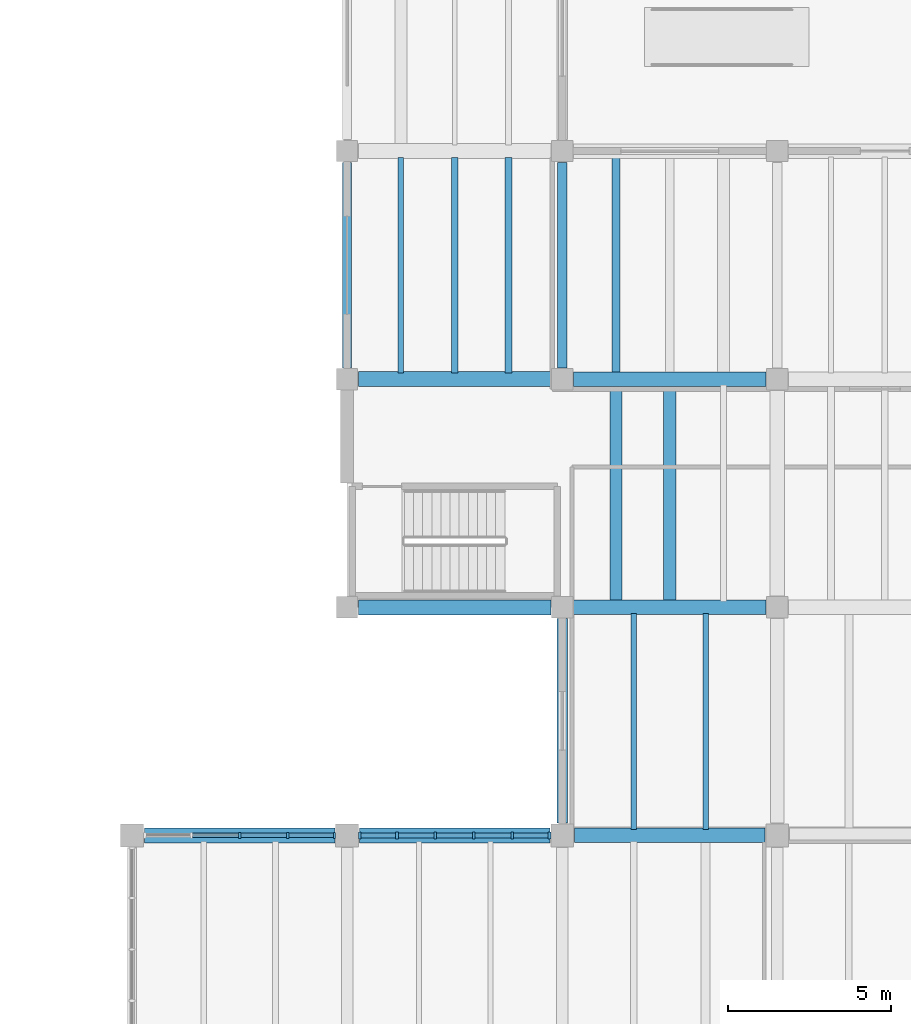
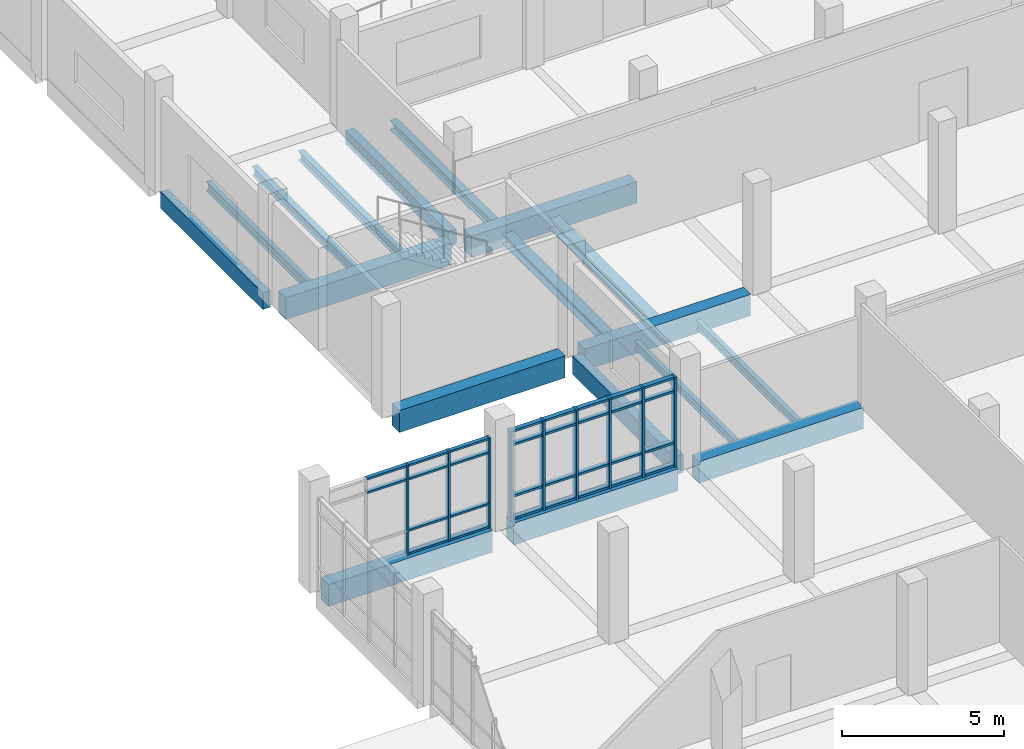
# One storey, part 8 of 69: 39 members, 18 beams, 2 elements without a shape of their own.
"""IFC4 building model written with IfcOpenShell, lengths in metres."""

from ifc_helpers import new_model, si_unit, direction, frame, origin, origin_2d, place, context, subcontext, project, spatial, rectangle, i_section, extrude, material, material_profile, profile_set, type_object, element, aggregate, save


model = new_model("IFC4")

# Units and contexts
model_context = context("Model", 3, precision=1e-05, world=origin(), true_north=direction((0.0, 1.0)))
body_context = subcontext(model_context, "Body", "Model", "MODEL_VIEW")
ifc_project = project(units=[si_unit("LENGTHUNIT", "METRE"), si_unit("AREAUNIT", "SQUARE_METRE"), si_unit("VOLUMEUNIT", "CUBIC_METRE"), si_unit("PLANEANGLEUNIT", "RADIAN"), si_unit("MASSUNIT", "GRAM", prefix="KILO")], contexts=[model_context])

# Site, building, storey
site_placement = place(None, origin())
site = spatial("IfcSite", under=ifc_project, at=site_placement, CompositionType="ELEMENT")
building_placement = place(site_placement, origin())
building = spatial("IfcBuilding", under=site, at=building_placement, Name="Ciguamira Faculty of Natural Sciences", CompositionType="ELEMENT")
storey_placement = place(building_placement, origin())
storey = spatial("IfcBuildingStorey", under=building, at=storey_placement, Name="L00", CompositionType="ELEMENT", Elevation=0.0)

# Curtain wall, members
ifc_material_1 = material(Name="Anodized aluminium curtain wall", Category="aluminium")
curtain_wall_type_1 = type_object("IfcCurtainWallType", Name="CurtainWall_CW-05", PredefinedType="USERDEFINED", material=ifc_material_1)
curtain_wall_1_placement = place(storey_placement, origin())
curtain_wall_1 = element("IfcCurtainWall", 1, at=curtain_wall_1_placement, inside=storey, type_object=curtain_wall_type_1, Name="L00 unitised curtain wall 0005", ObjectType="UNITISED CURTAIN WALL", PredefinedType="USERDEFINED")
ifc_material_2 = material(Name="Anodized aluminium mullion", Category="aluminium")
ifc_material_profile_1 = material_profile(ifc_material_2, rectangle(XDim=0.070068359375, YDim=0.179931640625, at=origin_2d()), Name="ALU-MUL-70X180")
ifc_profile_set_1 = profile_set([ifc_material_profile_1], Name="Anodized aluminium mullion")
member_type_1 = type_object("IfcMemberType", Name="CWMullion_CWM-02", PredefinedType="MULLION", material=ifc_profile_set_1)
member_1_placement = place(storey_placement, frame((54.0, 38.0, 0.0), z_axis=(0.0, 0.0, 1.0), x_axis=(1.0, 0.0, 0.0)))
member_1 = element("IfcMember", 2, at=member_1_placement, type_object=member_type_1, Name="CW-05 mullion 3", PredefinedType="MULLION", context=body_context, shape_type="SweptSolid", body=[
    extrude(rectangle(XDim=0.070068359375, YDim=0.179931640625, at=origin_2d()), origin(), (0.0, 0.0, 1.0), 3.385009765625),
])
member_2_placement = place(storey_placement, frame((55.47509765625, 38.0, 0.0), z_axis=(0.0, 0.0, 1.0), x_axis=(1.0, 0.0, 0.0)))
member_2 = element("IfcMember", 3, at=member_2_placement, type_object=member_type_1, Name="CW-05 mullion 4", PredefinedType="MULLION", context=body_context, shape_type="SweptSolid", body=[
    extrude(rectangle(XDim=0.070068359375, YDim=0.179931640625, at=origin_2d()), origin(), (0.0, 0.0, 1.0), 3.385009765625),
])
member_3_placement = place(storey_placement, frame((56.9150390625, 38.0, 0.0), z_axis=(0.0, 0.0, 1.0), x_axis=(1.0, 0.0, 0.0)))
member_3 = element("IfcMember", 4, at=member_3_placement, type_object=member_type_1, Name="CW-05 mullion 5", PredefinedType="MULLION", context=body_context, shape_type="SweptSolid", body=[
    extrude(rectangle(XDim=0.070068359375, YDim=0.179931640625, at=origin_2d()), origin(), (0.0, 0.0, 1.0), 3.385009765625),
])

curtain_wall_type_2 = type_object("IfcCurtainWallType", Name="CurtainWall_CW-06", PredefinedType="USERDEFINED", material=ifc_material_1)
curtain_wall_2_placement = place(storey_placement, origin())
curtain_wall_2 = element("IfcCurtainWall", 5, at=curtain_wall_2_placement, inside=storey, type_object=curtain_wall_type_2, Name="L00 unitised curtain wall 0006", ObjectType="UNITISED CURTAIN WALL", PredefinedType="USERDEFINED")
ifc_material_profile_2 = material_profile(ifc_material_2, rectangle(XDim=0.080078125, YDim=0.219970703125, at=origin_2d()), Name="ALU-MUL-80X220")
ifc_profile_set_2 = profile_set([ifc_material_profile_2], Name="Anodized aluminium mullion")
member_type_2 = type_object("IfcMemberType", Name="CWMullion_CWM-03", PredefinedType="MULLION", material=ifc_profile_set_2)
member_4_placement = place(storey_placement, frame((57.68994140625, 38.0, 0.0), z_axis=(0.0, 0.0, 1.0), x_axis=(1.0, 0.0, 0.0)))
member_4 = element("IfcMember", 6, at=member_4_placement, type_object=member_type_2, Name="CW-06 mullion 1", PredefinedType="MULLION", context=body_context, shape_type="SweptSolid", body=[
    extrude(rectangle(XDim=0.080078125, YDim=0.219970703125, at=origin_2d()), origin(), (0.0, 0.0, 1.0), 3.385009765625),
])
member_5_placement = place(storey_placement, frame((58.830078125, 38.0, 0.0), z_axis=(0.0, 0.0, 1.0), x_axis=(1.0, 0.0, 0.0)))
member_5 = element("IfcMember", 7, at=member_5_placement, type_object=member_type_2, Name="CW-06 mullion 2", PredefinedType="MULLION", context=body_context, shape_type="SweptSolid", body=[
    extrude(rectangle(XDim=0.080078125, YDim=0.219970703125, at=origin_2d()), origin(), (0.0, 0.0, 1.0), 3.385009765625),
])
member_6_placement = place(storey_placement, frame((60.010009765625, 38.0, 0.0), z_axis=(0.0, 0.0, 1.0), x_axis=(1.0, 0.0, 0.0)))
member_6 = element("IfcMember", 8, at=member_6_placement, type_object=member_type_2, Name="CW-06 mullion 3", PredefinedType="MULLION", context=body_context, shape_type="SweptSolid", body=[
    extrude(rectangle(XDim=0.080078125, YDim=0.219970703125, at=origin_2d()), origin(), (0.0, 0.0, 1.0), 3.385009765625),
])
member_7_placement = place(storey_placement, frame((61.18994140625, 38.0, 0.0), z_axis=(0.0, 0.0, 1.0), x_axis=(1.0, 0.0, 0.0)))
member_7 = element("IfcMember", 9, at=member_7_placement, type_object=member_type_2, Name="CW-06 mullion 4", PredefinedType="MULLION", context=body_context, shape_type="SweptSolid", body=[
    extrude(rectangle(XDim=0.080078125, YDim=0.219970703125, at=origin_2d()), origin(), (0.0, 0.0, 1.0), 3.385009765625),
])
member_8_placement = place(storey_placement, frame((62.3701171875, 38.0, 0.0), z_axis=(0.0, 0.0, 1.0), x_axis=(1.0, 0.0, 0.0)))
member_8 = element("IfcMember", 10, at=member_8_placement, type_object=member_type_2, Name="CW-06 mullion 5", PredefinedType="MULLION", context=body_context, shape_type="SweptSolid", body=[
    extrude(rectangle(XDim=0.080078125, YDim=0.219970703125, at=origin_2d()), origin(), (0.0, 0.0, 1.0), 3.385009765625),
])
member_9_placement = place(storey_placement, frame((63.510009765625, 38.0, 0.0), z_axis=(0.0, 0.0, 1.0), x_axis=(1.0, 0.0, 0.0)))
member_9 = element("IfcMember", 11, at=member_9_placement, type_object=member_type_2, Name="CW-06 mullion 6", PredefinedType="MULLION", context=body_context, shape_type="SweptSolid", body=[
    extrude(rectangle(XDim=0.080078125, YDim=0.219970703125, at=origin_2d()), origin(), (0.0, 0.0, 1.0), 3.385009765625),
])

# Member
ifc_material_3 = material(Name="Anodized aluminium transom", Category="aluminium")
ifc_material_profile_3 = material_profile(ifc_material_3, rectangle(XDim=0.070068359375, YDim=0.139892578125, at=origin_2d()), Name="ALU-TRN-70X140")
ifc_profile_set_3 = profile_set([ifc_material_profile_3], Name="Anodized aluminium transom")
member_type_3 = type_object("IfcMemberType", Name="CWTransom_CWT-02", PredefinedType="USERDEFINED", material=ifc_profile_set_3)
member_10_placement = place(storey_placement, frame((52.56005859375, 38.0, 2.8349609375), z_axis=(1.0, 0.0, 0.0), x_axis=(0.0, 0.0, 1.0)))
member_10 = element("IfcMember", 12, at=member_10_placement, type_object=member_type_3, Name="CW-05 transom 2.3", ObjectType="TRANSOM", PredefinedType="USERDEFINED", context=body_context, shape_type="SweptSolid", body=[
    extrude(rectangle(XDim=0.070068359375, YDim=0.139892578125, at=origin_2d()), origin(), (0.0, 0.0, 1.0), 1.405029296875),
])

member_11_placement = place(storey_placement, frame((52.56005859375, 38.0, 3.35009765625), z_axis=(1.0, 0.0, 0.0), x_axis=(0.0, 0.0, 1.0)))
member_11 = element("IfcMember", 13, at=member_11_placement, type_object=member_type_3, Name="CW-05 transom 2.4", ObjectType="TRANSOM", PredefinedType="USERDEFINED", context=body_context, shape_type="SweptSolid", body=[
    extrude(rectangle(XDim=0.070068359375, YDim=0.139892578125, at=origin_2d()), origin(), (0.0, 0.0, 1.0), 1.405029296875),
])

member_12_placement = place(storey_placement, frame((54.034912109375, 38.0, 0.034912109375), z_axis=(1.0, 0.0, 0.0), x_axis=(0.0, 0.0, 1.0)))
member_12 = element("IfcMember", 14, at=member_12_placement, type_object=member_type_3, Name="CW-05 transom 3.1", ObjectType="TRANSOM", PredefinedType="USERDEFINED", context=body_context, shape_type="SweptSolid", body=[
    extrude(rectangle(XDim=0.070068359375, YDim=0.139892578125, at=origin_2d()), origin(), (0.0, 0.0, 1.0), 1.405029296875),
])

member_13_placement = place(storey_placement, frame((54.034912109375, 38.0, 0.89990234375), z_axis=(1.0, 0.0, 0.0), x_axis=(0.0, 0.0, 1.0)))
member_13 = element("IfcMember", 15, at=member_13_placement, type_object=member_type_3, Name="CW-05 transom 3.2", ObjectType="TRANSOM", PredefinedType="USERDEFINED", context=body_context, shape_type="SweptSolid", body=[
    extrude(rectangle(XDim=0.070068359375, YDim=0.139892578125, at=origin_2d()), origin(), (0.0, 0.0, 1.0), 1.405029296875),
])

member_14_placement = place(storey_placement, frame((54.034912109375, 38.0, 2.8349609375), z_axis=(1.0, 0.0, 0.0), x_axis=(0.0, 0.0, 1.0)))
member_14 = element("IfcMember", 16, at=member_14_placement, type_object=member_type_3, Name="CW-05 transom 3.3", ObjectType="TRANSOM", PredefinedType="USERDEFINED", context=body_context, shape_type="SweptSolid", body=[
    extrude(rectangle(XDim=0.070068359375, YDim=0.139892578125, at=origin_2d()), origin(), (0.0, 0.0, 1.0), 1.405029296875),
])

member_15_placement = place(storey_placement, frame((54.034912109375, 38.0, 3.35009765625), z_axis=(1.0, 0.0, 0.0), x_axis=(0.0, 0.0, 1.0)))
member_15 = element("IfcMember", 17, at=member_15_placement, type_object=member_type_3, Name="CW-05 transom 3.4", ObjectType="TRANSOM", PredefinedType="USERDEFINED", context=body_context, shape_type="SweptSolid", body=[
    extrude(rectangle(XDim=0.070068359375, YDim=0.139892578125, at=origin_2d()), origin(), (0.0, 0.0, 1.0), 1.405029296875),
])

member_16_placement = place(storey_placement, frame((55.510009765625, 38.0, 0.034912109375), z_axis=(1.0, 0.0, 0.0), x_axis=(0.0, 0.0, 1.0)))
member_16 = element("IfcMember", 18, at=member_16_placement, type_object=member_type_3, Name="CW-05 transom 4.1", ObjectType="TRANSOM", PredefinedType="USERDEFINED", context=body_context, shape_type="SweptSolid", body=[
    extrude(rectangle(XDim=0.070068359375, YDim=0.139892578125, at=origin_2d()), origin(), (0.0, 0.0, 1.0), 1.369873046875),
])

member_17_placement = place(storey_placement, frame((55.510009765625, 38.0, 0.89990234375), z_axis=(1.0, 0.0, 0.0), x_axis=(0.0, 0.0, 1.0)))
member_17 = element("IfcMember", 19, at=member_17_placement, type_object=member_type_3, Name="CW-05 transom 4.2", ObjectType="TRANSOM", PredefinedType="USERDEFINED", context=body_context, shape_type="SweptSolid", body=[
    extrude(rectangle(XDim=0.070068359375, YDim=0.139892578125, at=origin_2d()), origin(), (0.0, 0.0, 1.0), 1.369873046875),
])

member_18_placement = place(storey_placement, frame((55.510009765625, 38.0, 2.8349609375), z_axis=(1.0, 0.0, 0.0), x_axis=(0.0, 0.0, 1.0)))
member_18 = element("IfcMember", 20, at=member_18_placement, type_object=member_type_3, Name="CW-05 transom 4.3", ObjectType="TRANSOM", PredefinedType="USERDEFINED", context=body_context, shape_type="SweptSolid", body=[
    extrude(rectangle(XDim=0.070068359375, YDim=0.139892578125, at=origin_2d()), origin(), (0.0, 0.0, 1.0), 1.369873046875),
])

member_19_placement = place(storey_placement, frame((55.510009765625, 38.0, 3.35009765625), z_axis=(1.0, 0.0, 0.0), x_axis=(0.0, 0.0, 1.0)))
member_19 = element("IfcMember", 21, at=member_19_placement, type_object=member_type_3, Name="CW-05 transom 4.4", ObjectType="TRANSOM", PredefinedType="USERDEFINED", context=body_context, shape_type="SweptSolid", body=[
    extrude(rectangle(XDim=0.070068359375, YDim=0.139892578125, at=origin_2d()), origin(), (0.0, 0.0, 1.0), 1.369873046875),
])

aggregate(curtain_wall_1, [member_1, member_2, member_3, member_10, member_11, member_12, member_13, member_14, member_15, member_16, member_17, member_18, member_19])

ifc_material_profile_4 = material_profile(ifc_material_3, rectangle(XDim=0.080078125, YDim=0.159912109375, at=origin_2d()), Name="ALU-TRN-80X160")
ifc_profile_set_4 = profile_set([ifc_material_profile_4], Name="Anodized aluminium transom")
member_type_4 = type_object("IfcMemberType", Name="CWTransom_CWT-03", PredefinedType="USERDEFINED", material=ifc_profile_set_4)
member_20_placement = place(storey_placement, frame((57.72998046875, 38.0, 0.0400390625), z_axis=(1.0, 0.0, 0.0), x_axis=(0.0, 0.0, 1.0)))
member_20 = element("IfcMember", 22, at=member_20_placement, type_object=member_type_4, Name="CW-06 transom 1.1", ObjectType="TRANSOM", PredefinedType="USERDEFINED", context=body_context, shape_type="SweptSolid", body=[
    extrude(rectangle(XDim=0.080078125, YDim=0.159912109375, at=origin_2d()), origin(), (0.0, 0.0, 1.0), 1.06005859375),
])

member_21_placement = place(storey_placement, frame((57.72998046875, 38.0, 0.89990234375), z_axis=(1.0, 0.0, 0.0), x_axis=(0.0, 0.0, 1.0)))
member_21 = element("IfcMember", 23, at=member_21_placement, type_object=member_type_4, Name="CW-06 transom 1.2", ObjectType="TRANSOM", PredefinedType="USERDEFINED", context=body_context, shape_type="SweptSolid", body=[
    extrude(rectangle(XDim=0.080078125, YDim=0.159912109375, at=origin_2d()), origin(), (0.0, 0.0, 1.0), 1.06005859375),
])

member_22_placement = place(storey_placement, frame((57.72998046875, 38.0, 2.8349609375), z_axis=(1.0, 0.0, 0.0), x_axis=(0.0, 0.0, 1.0)))
member_22 = element("IfcMember", 24, at=member_22_placement, type_object=member_type_4, Name="CW-06 transom 1.3", ObjectType="TRANSOM", PredefinedType="USERDEFINED", context=body_context, shape_type="SweptSolid", body=[
    extrude(rectangle(XDim=0.080078125, YDim=0.159912109375, at=origin_2d()), origin(), (0.0, 0.0, 1.0), 1.06005859375),
])

member_23_placement = place(storey_placement, frame((57.72998046875, 38.0, 3.344970703125), z_axis=(1.0, 0.0, 0.0), x_axis=(0.0, 0.0, 1.0)))
member_23 = element("IfcMember", 25, at=member_23_placement, type_object=member_type_4, Name="CW-06 transom 1.4", ObjectType="TRANSOM", PredefinedType="USERDEFINED", context=body_context, shape_type="SweptSolid", body=[
    extrude(rectangle(XDim=0.080078125, YDim=0.159912109375, at=origin_2d()), origin(), (0.0, 0.0, 1.0), 1.06005859375),
])

member_24_placement = place(storey_placement, frame((58.8701171875, 38.0, 0.0400390625), z_axis=(1.0, 0.0, 0.0), x_axis=(0.0, 0.0, 1.0)))
member_24 = element("IfcMember", 26, at=member_24_placement, type_object=member_type_4, Name="CW-06 transom 2.1", ObjectType="TRANSOM", PredefinedType="USERDEFINED", context=body_context, shape_type="SweptSolid", body=[
    extrude(rectangle(XDim=0.080078125, YDim=0.159912109375, at=origin_2d()), origin(), (0.0, 0.0, 1.0), 1.099853515625),
])

member_25_placement = place(storey_placement, frame((58.8701171875, 38.0, 0.89990234375), z_axis=(1.0, 0.0, 0.0), x_axis=(0.0, 0.0, 1.0)))
member_25 = element("IfcMember", 27, at=member_25_placement, type_object=member_type_4, Name="CW-06 transom 2.2", ObjectType="TRANSOM", PredefinedType="USERDEFINED", context=body_context, shape_type="SweptSolid", body=[
    extrude(rectangle(XDim=0.080078125, YDim=0.159912109375, at=origin_2d()), origin(), (0.0, 0.0, 1.0), 1.099853515625),
])

member_26_placement = place(storey_placement, frame((58.8701171875, 38.0, 2.8349609375), z_axis=(1.0, 0.0, 0.0), x_axis=(0.0, 0.0, 1.0)))
member_26 = element("IfcMember", 28, at=member_26_placement, type_object=member_type_4, Name="CW-06 transom 2.3", ObjectType="TRANSOM", PredefinedType="USERDEFINED", context=body_context, shape_type="SweptSolid", body=[
    extrude(rectangle(XDim=0.080078125, YDim=0.159912109375, at=origin_2d()), origin(), (0.0, 0.0, 1.0), 1.099853515625),
])

member_27_placement = place(storey_placement, frame((58.8701171875, 38.0, 3.344970703125), z_axis=(1.0, 0.0, 0.0), x_axis=(0.0, 0.0, 1.0)))
member_27 = element("IfcMember", 29, at=member_27_placement, type_object=member_type_4, Name="CW-06 transom 2.4", ObjectType="TRANSOM", PredefinedType="USERDEFINED", context=body_context, shape_type="SweptSolid", body=[
    extrude(rectangle(XDim=0.080078125, YDim=0.159912109375, at=origin_2d()), origin(), (0.0, 0.0, 1.0), 1.099853515625),
])

member_28_placement = place(storey_placement, frame((60.050048828125, 38.0, 0.0400390625), z_axis=(1.0, 0.0, 0.0), x_axis=(0.0, 0.0, 1.0)))
member_28 = element("IfcMember", 30, at=member_28_placement, type_object=member_type_4, Name="CW-06 transom 3.1", ObjectType="TRANSOM", PredefinedType="USERDEFINED", context=body_context, shape_type="SweptSolid", body=[
    extrude(rectangle(XDim=0.080078125, YDim=0.159912109375, at=origin_2d()), origin(), (0.0, 0.0, 1.0), 1.099853515625),
])

member_29_placement = place(storey_placement, frame((60.050048828125, 38.0, 0.89990234375), z_axis=(1.0, 0.0, 0.0), x_axis=(0.0, 0.0, 1.0)))
member_29 = element("IfcMember", 31, at=member_29_placement, type_object=member_type_4, Name="CW-06 transom 3.2", ObjectType="TRANSOM", PredefinedType="USERDEFINED", context=body_context, shape_type="SweptSolid", body=[
    extrude(rectangle(XDim=0.080078125, YDim=0.159912109375, at=origin_2d()), origin(), (0.0, 0.0, 1.0), 1.099853515625),
])

member_30_placement = place(storey_placement, frame((60.050048828125, 38.0, 2.8349609375), z_axis=(1.0, 0.0, 0.0), x_axis=(0.0, 0.0, 1.0)))
member_30 = element("IfcMember", 32, at=member_30_placement, type_object=member_type_4, Name="CW-06 transom 3.3", ObjectType="TRANSOM", PredefinedType="USERDEFINED", context=body_context, shape_type="SweptSolid", body=[
    extrude(rectangle(XDim=0.080078125, YDim=0.159912109375, at=origin_2d()), origin(), (0.0, 0.0, 1.0), 1.099853515625),
])

member_31_placement = place(storey_placement, frame((60.050048828125, 38.0, 3.344970703125), z_axis=(1.0, 0.0, 0.0), x_axis=(0.0, 0.0, 1.0)))
member_31 = element("IfcMember", 33, at=member_31_placement, type_object=member_type_4, Name="CW-06 transom 3.4", ObjectType="TRANSOM", PredefinedType="USERDEFINED", context=body_context, shape_type="SweptSolid", body=[
    extrude(rectangle(XDim=0.080078125, YDim=0.159912109375, at=origin_2d()), origin(), (0.0, 0.0, 1.0), 1.099853515625),
])

member_32_placement = place(storey_placement, frame((61.22998046875, 38.0, 0.0400390625), z_axis=(1.0, 0.0, 0.0), x_axis=(0.0, 0.0, 1.0)))
member_32 = element("IfcMember", 34, at=member_32_placement, type_object=member_type_4, Name="CW-06 transom 4.1", ObjectType="TRANSOM", PredefinedType="USERDEFINED", context=body_context, shape_type="SweptSolid", body=[
    extrude(rectangle(XDim=0.080078125, YDim=0.159912109375, at=origin_2d()), origin(), (0.0, 0.0, 1.0), 1.10009765625),
])

member_33_placement = place(storey_placement, frame((61.22998046875, 38.0, 0.89990234375), z_axis=(1.0, 0.0, 0.0), x_axis=(0.0, 0.0, 1.0)))
member_33 = element("IfcMember", 35, at=member_33_placement, type_object=member_type_4, Name="CW-06 transom 4.2", ObjectType="TRANSOM", PredefinedType="USERDEFINED", context=body_context, shape_type="SweptSolid", body=[
    extrude(rectangle(XDim=0.080078125, YDim=0.159912109375, at=origin_2d()), origin(), (0.0, 0.0, 1.0), 1.10009765625),
])

member_34_placement = place(storey_placement, frame((61.22998046875, 38.0, 2.8349609375), z_axis=(1.0, 0.0, 0.0), x_axis=(0.0, 0.0, 1.0)))
member_34 = element("IfcMember", 36, at=member_34_placement, type_object=member_type_4, Name="CW-06 transom 4.3", ObjectType="TRANSOM", PredefinedType="USERDEFINED", context=body_context, shape_type="SweptSolid", body=[
    extrude(rectangle(XDim=0.080078125, YDim=0.159912109375, at=origin_2d()), origin(), (0.0, 0.0, 1.0), 1.10009765625),
])

member_35_placement = place(storey_placement, frame((61.22998046875, 38.0, 3.344970703125), z_axis=(1.0, 0.0, 0.0), x_axis=(0.0, 0.0, 1.0)))
member_35 = element("IfcMember", 37, at=member_35_placement, type_object=member_type_4, Name="CW-06 transom 4.4", ObjectType="TRANSOM", PredefinedType="USERDEFINED", context=body_context, shape_type="SweptSolid", body=[
    extrude(rectangle(XDim=0.080078125, YDim=0.159912109375, at=origin_2d()), origin(), (0.0, 0.0, 1.0), 1.10009765625),
])

member_36_placement = place(storey_placement, frame((62.409912109375, 38.0, 0.0400390625), z_axis=(1.0, 0.0, 0.0), x_axis=(0.0, 0.0, 1.0)))
member_36 = element("IfcMember", 38, at=member_36_placement, type_object=member_type_4, Name="CW-06 transom 5.1", ObjectType="TRANSOM", PredefinedType="USERDEFINED", context=body_context, shape_type="SweptSolid", body=[
    extrude(rectangle(XDim=0.080078125, YDim=0.159912109375, at=origin_2d()), origin(), (0.0, 0.0, 1.0), 1.06005859375),
])

member_37_placement = place(storey_placement, frame((62.409912109375, 38.0, 0.89990234375), z_axis=(1.0, 0.0, 0.0), x_axis=(0.0, 0.0, 1.0)))
member_37 = element("IfcMember", 39, at=member_37_placement, type_object=member_type_4, Name="CW-06 transom 5.2", ObjectType="TRANSOM", PredefinedType="USERDEFINED", context=body_context, shape_type="SweptSolid", body=[
    extrude(rectangle(XDim=0.080078125, YDim=0.159912109375, at=origin_2d()), origin(), (0.0, 0.0, 1.0), 1.06005859375),
])

member_38_placement = place(storey_placement, frame((62.409912109375, 38.0, 2.8349609375), z_axis=(1.0, 0.0, 0.0), x_axis=(0.0, 0.0, 1.0)))
member_38 = element("IfcMember", 40, at=member_38_placement, type_object=member_type_4, Name="CW-06 transom 5.3", ObjectType="TRANSOM", PredefinedType="USERDEFINED", context=body_context, shape_type="SweptSolid", body=[
    extrude(rectangle(XDim=0.080078125, YDim=0.159912109375, at=origin_2d()), origin(), (0.0, 0.0, 1.0), 1.06005859375),
])

member_39_placement = place(storey_placement, frame((62.409912109375, 38.0, 3.344970703125), z_axis=(1.0, 0.0, 0.0), x_axis=(0.0, 0.0, 1.0)))
member_39 = element("IfcMember", 41, at=member_39_placement, type_object=member_type_4, Name="CW-06 transom 5.4", ObjectType="TRANSOM", PredefinedType="USERDEFINED", context=body_context, shape_type="SweptSolid", body=[
    extrude(rectangle(XDim=0.080078125, YDim=0.159912109375, at=origin_2d()), origin(), (0.0, 0.0, 1.0), 1.06005859375),
])

aggregate(curtain_wall_2, [member_4, member_5, member_6, member_7, member_8, member_9, member_20, member_21, member_22, member_23, member_24, member_25, member_26, member_27, member_28, member_29, member_30, member_31, member_32, member_33, member_34, member_35, member_36, member_37, member_38, member_39])

# Beams
ifc_material_4 = material(Name="Concrete C40/50", Category="concrete")
ifc_material_profile_5 = material_profile(ifc_material_4, rectangle(XDim=0.4599609375, YDim=0.820068359375, at=origin_2d()), Name="RC-BM-460X820")
ifc_profile_set_5 = profile_set([ifc_material_profile_5], Name="Concrete C40/50")
beam_type_1 = type_object("IfcBeamType", Name="RCBeam_BG-04_RC-BM-460X820", PredefinedType="BEAM", material=ifc_profile_set_5)
beam_1_placement = place(storey_placement, frame((51.074951171875, 38.0, -0.409912109375), z_axis=(1.0, 0.0, 0.0), x_axis=(0.0, 1.0, 0.0)))
element("IfcBeam", 42, at=beam_1_placement, inside=storey, type_object=beam_type_1, Name="L00 RC girder EW-0089", PredefinedType="BEAM", context=body_context, shape_type="SweptSolid", body=[
    extrude(rectangle(XDim=0.4599609375, YDim=0.820068359375, at=origin_2d()), origin(), (0.0, 0.0, 1.0), 5.85009765625),
])
beam_2_placement = place(storey_placement, frame((57.675048828125, 38.0, -0.409912109375), z_axis=(1.0, 0.0, 0.0), x_axis=(0.0, 1.0, 0.0)))
element("IfcBeam", 43, at=beam_2_placement, inside=storey, type_object=beam_type_1, Name="L00 RC girder EW-0090", PredefinedType="BEAM", context=body_context, shape_type="SweptSolid", body=[
    extrude(rectangle(XDim=0.4599609375, YDim=0.820068359375, at=origin_2d()), origin(), (0.0, 0.0, 1.0), 5.849853515625),
])
for number, where, z_axis, x_axis, name in (
    (44, (57.64990234375, 45.0, -0.409912109375), (1.0, 0.0, 0.0), (0.0, 1.0, 0.0), "L00 RC girder EW-0100"),
    (45, (57.64990234375, 52.0, -0.409912109375), (1.0, 0.0, 0.0), (0.0, 1.0, 0.0), "L00 RC girder EW-0109"),
):
    element("IfcBeam", number, at=place(storey_placement, frame(where, z_axis=z_axis, x_axis=x_axis)), inside=storey, type_object=beam_type_1, Name=name, PredefinedType="BEAM", context=body_context, shape_type="SweptSolid", body=[
        extrude(rectangle(XDim=0.4599609375, YDim=0.820068359375, at=origin_2d()), origin(), (0.0, 0.0, 1.0), 5.900146484375),
    ])
ifc_material_profile_6 = material_profile(ifc_material_4, rectangle(XDim=0.449951171875, YDim=0.800048828125, at=origin_2d()), Name="RC-BM-450X800")
ifc_profile_set_6 = profile_set([ifc_material_profile_6], Name="Concrete C40/50")
beam_type_2 = type_object("IfcBeamType", Name="RCBeam_BG-05_RC-BM-450X800", PredefinedType="BEAM", material=ifc_profile_set_6)
beam_3_placement = place(storey_placement, frame((64.27490234375, 38.0, -0.39990234375), z_axis=(1.0, 0.0, 0.0), x_axis=(0.0, 1.0, 0.0)))
element("IfcBeam", 46, at=beam_3_placement, inside=storey, type_object=beam_type_2, Name="L00 RC girder EW-0091", PredefinedType="BEAM", context=body_context, shape_type="SweptSolid", body=[
    extrude(rectangle(XDim=0.449951171875, YDim=0.800048828125, at=origin_2d()), origin(), (0.0, 0.0, 1.0), 5.85009765625),
])
for number, where, z_axis, x_axis, name in (
    (47, (64.25, 45.0, -0.39990234375), (1.0, 0.0, 0.0), (0.0, 1.0, 0.0), "L00 RC girder EW-0101"),
    (48, (64.25, 52.0, -0.39990234375), (1.0, 0.0, 0.0), (0.0, 1.0, 0.0), "L00 RC girder EW-0110"),
):
    element("IfcBeam", number, at=place(storey_placement, frame(where, z_axis=z_axis, x_axis=x_axis)), inside=storey, type_object=beam_type_2, Name=name, PredefinedType="BEAM", context=body_context, shape_type="SweptSolid", body=[
        extrude(rectangle(XDim=0.449951171875, YDim=0.800048828125, at=origin_2d()), origin(), (0.0, 0.0, 1.0), 5.89990234375),
    ])
ifc_material_profile_7 = material_profile(ifc_material_4, rectangle(XDim=0.300048828125, YDim=0.52001953125, at=origin_2d()), Name="RC-BM-300X520")
ifc_profile_set_7 = profile_set([ifc_material_profile_7], Name="Concrete C40/50")
beam_type_3 = type_object("IfcBeamType", Name="RCBeam_BG-13_RC-BM-300X520", PredefinedType="BEAM", material=ifc_profile_set_7)
beam_4_placement = place(storey_placement, frame((63.89990234375, 52.35009765625, -0.260009765625), z_axis=(0.0, 1.0, 0.0), x_axis=(-1.0, 0.0, 0.0)))
element("IfcBeam", 49, at=beam_4_placement, inside=storey, type_object=beam_type_3, Name="L00 girder NS-0233", PredefinedType="BEAM", context=body_context, shape_type="SweptSolid", body=[
    extrude(rectangle(XDim=0.300048828125, YDim=0.52001953125, at=origin_2d()), origin(), (0.0, 0.0, 1.0), 6.2998046875),
])
ifc_material_5 = material(Name="Precast concrete C40/50", Category="concrete")
ifc_material_profile_8 = material_profile(ifc_material_5, rectangle(XDim=0.280029296875, YDim=0.6201171875, at=origin_2d()), Name="RC-SP-280X620")
ifc_profile_set_8 = profile_set([ifc_material_profile_8], Name="Precast concrete C40/50")
beam_type_4 = type_object("IfcBeamType", Name="RCBeam_SP-01_RC-SP-280X620", PredefinedType="SPANDREL", material=ifc_profile_set_8)
beam_5_placement = place(storey_placement, frame((57.300048828125, 52.35009765625, -0.31005859375), z_axis=(0.0, 1.0, 0.0), x_axis=(-1.0, 0.0, 0.0)))
element("IfcBeam", 50, at=beam_5_placement, inside=storey, type_object=beam_type_4, Name="L00 girder NS-0221", PredefinedType="SPANDREL", context=body_context, shape_type="SweptSolid", body=[
    extrude(rectangle(XDim=0.280029296875, YDim=0.6201171875, at=origin_2d()), origin(), (0.0, 0.0, 1.0), 6.2998046875),
])
ifc_material_profile_9 = material_profile(ifc_material_5, rectangle(XDim=0.320068359375, YDim=0.679931640625, at=origin_2d()), Name="RC-SP-320X680")
ifc_profile_set_9 = profile_set([ifc_material_profile_9], Name="Precast concrete C40/50")
beam_type_5 = type_object("IfcBeamType", Name="RCBeam_SP-02_RC-SP-320X680", PredefinedType="SPANDREL", material=ifc_profile_set_9)
beam_6_placement = place(storey_placement, frame((63.89990234375, 38.375, -0.340087890625), z_axis=(0.0, 1.0, 0.0), x_axis=(-1.0, 0.0, 0.0)))
element("IfcBeam", 51, at=beam_6_placement, inside=storey, type_object=beam_type_5, Name="L00 girder NS-0232", PredefinedType="SPANDREL", context=body_context, shape_type="SweptSolid", body=[
    extrude(rectangle(XDim=0.320068359375, YDim=0.679931640625, at=origin_2d()), origin(), (0.0, 0.0, 1.0), 6.27490234375),
])
ifc_material_6 = material(Name="Steel ASTM A992 Grade 50", Category="steel")
ifc_material_profile_10 = material_profile(ifc_material_6, i_section(OverallWidth=0.164794921875, OverallDepth=0.309814453125, WebThickness=0.005859375, FlangeThickness=0.009765625, at=origin_2d()), Name="W12X26")
ifc_profile_set_10 = profile_set([ifc_material_profile_10], Name="Steel ASTM A992 Grade 50")
beam_type_6 = type_object("IfcBeamType", Name="SteelJoist_SJ-04_W12X26", PredefinedType="JOIST", material=ifc_profile_set_10)
beam_7_placement = place(storey_placement, frame((66.10009765625, 38.18505859375, -0.454833984375), z_axis=(0.0, 1.0, 0.0), x_axis=(-1.0, 0.0, 0.0)))
element("IfcBeam", 52, at=beam_7_placement, inside=storey, type_object=beam_type_6, Name="L00 composite steel joist 00099", PredefinedType="JOIST", context=body_context, shape_type="SweptSolid", body=[
    extrude(i_section(OverallWidth=0.164794921875, OverallDepth=0.309814453125, WebThickness=0.005859375, FlangeThickness=0.009765625, at=origin_2d()), origin(), (0.0, 0.0, 1.0), 6.6298828125),
])
ifc_material_profile_11 = material_profile(ifc_material_6, i_section(OverallWidth=0.16650390625, OverallDepth=0.3173828125, WebThickness=0.007568359375, FlangeThickness=0.01318359375, at=origin_2d()), Name="W12X35")
ifc_profile_set_11 = profile_set([ifc_material_profile_11], Name="Steel ASTM A992 Grade 50")
beam_type_7 = type_object("IfcBeamType", Name="SteelJoist_SJ-05_W12X35", PredefinedType="JOIST", material=ifc_profile_set_11)
beam_8_placement = place(storey_placement, frame((68.300048828125, 38.18505859375, -0.458740234375), z_axis=(0.0, 1.0, 0.0), x_axis=(-1.0, 0.0, 0.0)))
element("IfcBeam", 53, at=beam_8_placement, inside=storey, type_object=beam_type_7, Name="L00 composite steel joist 00100", PredefinedType="JOIST", context=body_context, shape_type="SweptSolid", body=[
    extrude(i_section(OverallWidth=0.16650390625, OverallDepth=0.3173828125, WebThickness=0.007568359375, FlangeThickness=0.01318359375, at=origin_2d()), origin(), (0.0, 0.0, 1.0), 6.6298828125),
])
ifc_material_profile_12 = material_profile(ifc_material_6, i_section(OverallWidth=0.370849609375, OverallDepth=0.36328125, WebThickness=0.013427734375, FlangeThickness=0.021728515625, at=origin_2d()), Name="W14X109")
ifc_profile_set_12 = profile_set([ifc_material_profile_12], Name="Steel ASTM A992 Grade 50")
beam_type_8 = type_object("IfcBeamType", Name="SteelJoist_SJ-09_W14X109", PredefinedType="JOIST", material=ifc_profile_set_12)
beam_9_placement = place(storey_placement, frame((65.550048828125, 45.18505859375, -0.481689453125), z_axis=(0.0, 1.0, 0.0), x_axis=(-1.0, 0.0, 0.0)))
element("IfcBeam", 54, at=beam_9_placement, inside=storey, type_object=beam_type_8, Name="L00 composite steel joist 00101", PredefinedType="JOIST", context=body_context, shape_type="SweptSolid", body=[
    extrude(i_section(OverallWidth=0.370849609375, OverallDepth=0.36328125, WebThickness=0.013427734375, FlangeThickness=0.021728515625, at=origin_2d()), origin(), (0.0, 0.0, 1.0), 6.6298828125),
])
ifc_material_profile_13 = material_profile(ifc_material_6, i_section(OverallWidth=0.373291015625, OverallDepth=0.373291015625, WebThickness=0.016357421875, FlangeThickness=0.026123046875, at=origin_2d()), Name="W14X132")
ifc_profile_set_13 = profile_set([ifc_material_profile_13], Name="Steel ASTM A992 Grade 50")
beam_type_9 = type_object("IfcBeamType", Name="SteelJoist_SJ-10_W14X132", PredefinedType="JOIST", material=ifc_profile_set_13)
beam_10_placement = place(storey_placement, frame((67.199951171875, 45.18505859375, -0.48681640625), z_axis=(0.0, 1.0, 0.0), x_axis=(-1.0, 0.0, 0.0)))
element("IfcBeam", 55, at=beam_10_placement, inside=storey, type_object=beam_type_9, Name="L00 composite steel joist 00102", PredefinedType="JOIST", context=body_context, shape_type="SweptSolid", body=[
    extrude(i_section(OverallWidth=0.373291015625, OverallDepth=0.373291015625, WebThickness=0.016357421875, FlangeThickness=0.026123046875, at=origin_2d()), origin(), (0.0, 0.0, 1.0), 6.6298828125),
])
ifc_material_profile_14 = material_profile(ifc_material_6, i_section(OverallWidth=0.1708984375, OverallDepth=0.3505859375, WebThickness=0.0068359375, FlangeThickness=0.009765625, at=origin_2d()), Name="W14X30")
ifc_profile_set_14 = profile_set([ifc_material_profile_14], Name="Steel ASTM A992 Grade 50")
beam_type_10 = type_object("IfcBeamType", Name="SteelJoist_SJ-11_W14X30", PredefinedType="JOIST", material=ifc_profile_set_14)
beam_11_placement = place(storey_placement, frame((58.949951171875, 52.18994140625, -0.475341796875), z_axis=(0.0, 1.0, 0.0), x_axis=(-1.0, 0.0, 0.0)))
element("IfcBeam", 56, at=beam_11_placement, inside=storey, type_object=beam_type_10, Name="L00 composite steel joist 00071", PredefinedType="JOIST", context=body_context, shape_type="SweptSolid", body=[
    extrude(i_section(OverallWidth=0.1708984375, OverallDepth=0.3505859375, WebThickness=0.0068359375, FlangeThickness=0.009765625, at=origin_2d()), origin(), (0.0, 0.0, 1.0), 6.6201171875),
])
ifc_material_profile_15 = material_profile(ifc_material_6, i_section(OverallWidth=0.203125, OverallDepth=0.347900390625, WebThickness=0.0078125, FlangeThickness=0.013427734375, at=origin_2d()), Name="W14X43")
ifc_profile_set_15 = profile_set([ifc_material_profile_15], Name="Steel ASTM A992 Grade 50")
beam_type_11 = type_object("IfcBeamType", Name="SteelJoist_SJ-12_W14X43", PredefinedType="JOIST", material=ifc_profile_set_15)
beam_12_placement = place(storey_placement, frame((60.60009765625, 52.18994140625, -0.47412109375), z_axis=(0.0, 1.0, 0.0), x_axis=(-1.0, 0.0, 0.0)))
element("IfcBeam", 57, at=beam_12_placement, inside=storey, type_object=beam_type_11, Name="L00 composite steel joist 00072", PredefinedType="JOIST", context=body_context, shape_type="SweptSolid", body=[
    extrude(i_section(OverallWidth=0.203125, OverallDepth=0.347900390625, WebThickness=0.0078125, FlangeThickness=0.013427734375, at=origin_2d()), origin(), (0.0, 0.0, 1.0), 6.6201171875),
])
ifc_material_profile_16 = material_profile(ifc_material_6, i_section(OverallWidth=0.204833984375, OverallDepth=0.35302734375, WebThickness=0.00927734375, FlangeThickness=0.016845703125, at=origin_2d()), Name="W14X53")
ifc_profile_set_16 = profile_set([ifc_material_profile_16], Name="Steel ASTM A992 Grade 50")
beam_type_12 = type_object("IfcBeamType", Name="SteelJoist_SJ-13_W14X53", PredefinedType="JOIST", material=ifc_profile_set_16)
beam_13_placement = place(storey_placement, frame((62.25, 52.18994140625, -0.4765625), z_axis=(0.0, 1.0, 0.0), x_axis=(-1.0, 0.0, 0.0)))
element("IfcBeam", 58, at=beam_13_placement, inside=storey, type_object=beam_type_12, Name="L00 composite steel joist 00073", PredefinedType="JOIST", context=body_context, shape_type="SweptSolid", body=[
    extrude(i_section(OverallWidth=0.204833984375, OverallDepth=0.35302734375, WebThickness=0.00927734375, FlangeThickness=0.016845703125, at=origin_2d()), origin(), (0.0, 0.0, 1.0), 6.6201171875),
])
ifc_material_profile_17 = material_profile(ifc_material_6, i_section(OverallWidth=0.25390625, OverallDepth=0.355712890625, WebThickness=0.010498046875, FlangeThickness=0.018310546875, at=origin_2d()), Name="W14X68")
ifc_profile_set_17 = profile_set([ifc_material_profile_17], Name="Steel ASTM A992 Grade 50")
beam_type_13 = type_object("IfcBeamType", Name="SteelJoist_SJ-14_W14X68", PredefinedType="JOIST", material=ifc_profile_set_17)
beam_14_placement = place(storey_placement, frame((65.550048828125, 52.18505859375, -0.477783203125), z_axis=(0.0, 1.0, 0.0), x_axis=(-1.0, 0.0, 0.0)))
element("IfcBeam", 59, at=beam_14_placement, inside=storey, type_object=beam_type_13, Name="L00 composite steel joist 00104", PredefinedType="JOIST", context=body_context, shape_type="SweptSolid", body=[
    extrude(i_section(OverallWidth=0.25390625, OverallDepth=0.355712890625, WebThickness=0.010498046875, FlangeThickness=0.018310546875, at=origin_2d()), origin(), (0.0, 0.0, 1.0), 6.6298828125),
])

save(model, "model.ifc")
